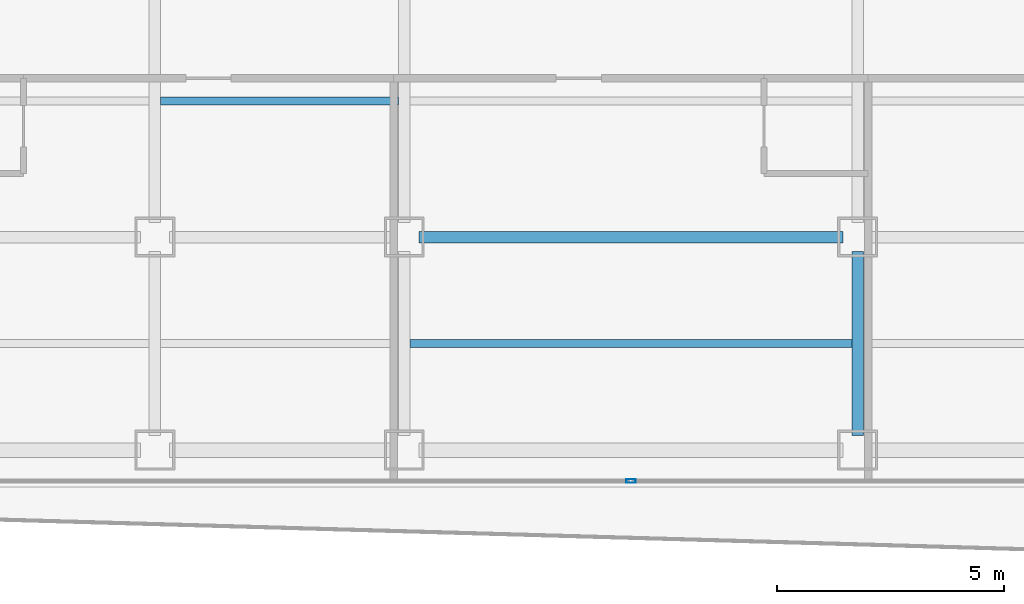
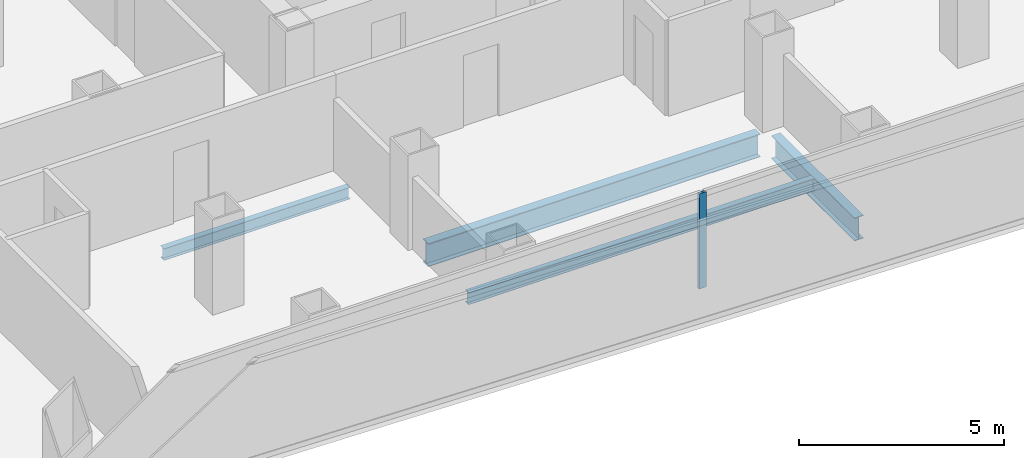
# One storey, part 4 of 21: 4 beams, 1 member, 1 element without a shape of its own.
"""IFC4 building model written with IfcOpenShell, lengths in metres."""

from ifc_helpers import new_model, si_unit, direction, frame, origin, origin_2d, place, context, subcontext, project, spatial, hollow_rectangle, i_section, extrude, source, transform, mapped, material, layer, layer_set, material_profile, profile_set, type_object, element, aggregate, save


model = new_model("IFC4")

# Units and contexts
model_context = context("Model", 3, precision=1e-05, world=origin(), true_north=direction((0.0, 1.0)))
body_context = subcontext(model_context, "Body", "Model", "MODEL_VIEW")
ifc_project = project(units=[si_unit("LENGTHUNIT", "METRE"), si_unit("AREAUNIT", "SQUARE_METRE"), si_unit("VOLUMEUNIT", "CUBIC_METRE"), si_unit("PLANEANGLEUNIT", "RADIAN"), si_unit("MASSUNIT", "GRAM", prefix="KILO")], contexts=[model_context])

# Site, building, storey
site_placement = place(None, origin())
site = spatial("IfcSite", under=ifc_project, at=site_placement, CompositionType="ELEMENT")
building_placement = place(site_placement, origin())
building = spatial("IfcBuilding", under=site, at=building_placement, Name="Kolveth Station Tower", CompositionType="ELEMENT")
storey_placement = place(building_placement, frame((0.0, 0.0, 148.39990234375)))
storey = spatial("IfcBuildingStorey", under=building, at=storey_placement, Name="L41", CompositionType="ELEMENT", Elevation=148.39990234375)

# Beams
ifc_material_1 = material(Name="Steel S355", Category="steel")
ifc_material_profile_1 = material_profile(ifc_material_1, i_section(OverallWidth=0.25390625, OverallDepth=0.68798828125, WebThickness=0.01318359375, FlangeThickness=0.02099609375, at=origin_2d()), Name="W690x152")
ifc_profile_set_1 = profile_set([ifc_material_profile_1], Name="Steel S355")
beam_type_1 = type_object("IfcBeamType", Name="Beam_B4", PredefinedType="BEAM", material=ifc_profile_set_1)
shared_shape_1 = source(origin(), body_context, "Body", "SweptSolid", [
    extrude(i_section(OverallWidth=0.25390625, OverallDepth=0.68798828125, WebThickness=0.01318359375, FlangeThickness=0.02099609375, at=origin_2d()), origin(), (0.0, 0.0, 1.0), 9.35986328125),
])
beam_1_placement = place(storey_placement, frame((18.820068359375, 5.5, -0.593994140625), z_axis=(1.0, 0.0, 0.0), x_axis=(0.0, 1.0, 0.0)))
element("IfcBeam", 1, at=beam_1_placement, inside=storey, type_object=beam_type_1, Name="L41 Primary Girder BM-L41-GY55-4", PredefinedType="BEAM", context=body_context, shape_type="MappedRepresentation", body=[
    mapped(shared_shape_1, transform((0.0, 0.0, 0.0), x_axis=(1.0, 0.0, 0.0), y_axis=(0.0, 1.0, 0.0), z_axis=(0.0, 0.0, 1.0), scale=1.0)),
])
shared_shape_2 = source(origin(), body_context, "Body", "SweptSolid", [
    extrude(i_section(OverallWidth=0.25390625, OverallDepth=0.68798828125, WebThickness=0.01318359375, FlangeThickness=0.02099609375, at=origin_2d()), origin(), (0.0, 0.0, 1.0), 4.059814453125),
])
beam_2_placement = place(storey_placement, frame((28.5, 1.1201171875, -0.593994140625), z_axis=(0.0, 1.0, 0.0), x_axis=(-1.0, 0.0, 0.0)))
element("IfcBeam", 2, at=beam_2_placement, inside=storey, type_object=beam_type_1, Name="L41 Primary Girder BM-L41-GX285-1", PredefinedType="BEAM", context=body_context, shape_type="MappedRepresentation", body=[
    mapped(shared_shape_2, transform((0.0, 0.0, 0.0), x_axis=(1.0, 0.0, 0.0), y_axis=(0.0, 1.0, 0.0), z_axis=(0.0, 0.0, 1.0), scale=1.0)),
])
ifc_material_profile_2 = material_profile(ifc_material_1, i_section(OverallWidth=0.1708984375, OverallDepth=0.35205078125, WebThickness=0.0068359375, FlangeThickness=0.009765625, at=origin_2d()), Name="W360x44")
ifc_profile_set_2 = profile_set([ifc_material_profile_2], Name="Steel S355")
beam_type_2 = type_object("IfcBeamType", Name="Beam_J2", PredefinedType="JOIST", material=ifc_profile_set_2)
shared_shape_3 = source(origin(), body_context, "Body", "SweptSolid", [
    extrude(i_section(OverallWidth=0.1708984375, OverallDepth=0.35205078125, WebThickness=0.0068359375, FlangeThickness=0.009765625, at=origin_2d()), origin(), (0.0, 0.0, 1.0), 5.25),
])
beam_3_placement = place(storey_placement, frame((13.125, 8.5, -0.42578125), z_axis=(1.0, 0.0, 0.0), x_axis=(0.0, 1.0, 0.0)))
element("IfcBeam", 3, at=beam_3_placement, inside=storey, type_object=beam_type_2, Name="L41 Secondary Joist JST-L41-3-2", PredefinedType="JOIST", context=body_context, shape_type="MappedRepresentation", body=[
    mapped(shared_shape_3, transform((0.0, 0.0, 0.0), x_axis=(1.0, 0.0, 0.0), y_axis=(0.0, 1.0, 0.0), z_axis=(0.0, 0.0, 1.0), scale=1.0)),
])
shared_shape_4 = source(origin(), body_context, "Body", "SweptSolid", [
    extrude(i_section(OverallWidth=0.1708984375, OverallDepth=0.35205078125, WebThickness=0.0068359375, FlangeThickness=0.009765625, at=origin_2d()), origin(), (0.0, 0.0, 1.0), 9.75),
])
beam_4_placement = place(storey_placement, frame((18.625, 3.14990234375, -0.42578125), z_axis=(1.0, 0.0, 0.0), x_axis=(0.0, 1.0, 0.0)))
element("IfcBeam", 4, at=beam_4_placement, inside=storey, type_object=beam_type_2, Name="L41 Secondary Joist JST-L41-4-1", PredefinedType="JOIST", context=body_context, shape_type="MappedRepresentation", body=[
    mapped(shared_shape_4, transform((0.0, 0.0, 0.0), x_axis=(1.0, 0.0, 0.0), y_axis=(0.0, 1.0, 0.0), z_axis=(0.0, 0.0, 1.0), scale=1.0)),
])

# Curtain wall, member
ifc_material_2 = material(Name="Aluminium 6063-T6 and low-E dark glass", Category="aluminium")
ifc_layer = layer(ifc_material_2, 0.18994140625)
ifc_layer_set = layer_set([ifc_layer], Name="Aluminium 6063-T6 and low-E dark glass")
curtain_wall_type = type_object("IfcCurtainWallType", Name="CurtainWall_CW-Z2", PredefinedType="NOTDEFINED", material=ifc_layer_set)
curtain_wall_placement = place(storey_placement, origin())
curtain_wall = element("IfcCurtainWall", 5, at=curtain_wall_placement, inside=storey, type_object=curtain_wall_type, Name="L41 Inner Thermal Curtain Wall 12", PredefinedType="NOTDEFINED")
ifc_material_3 = material(Name="Black anodized aluminium 6063-T6", Category="aluminium")
ifc_material_profile_3 = material_profile(ifc_material_3, hollow_rectangle(XDim=0.080078125, YDim=0.199951171875, WallThickness=0.0048828125, at=origin_2d()), Name="ALU-80x200x5")
ifc_profile_set_3 = profile_set([ifc_material_profile_3], Name="Black anodized aluminium 6063-T6")
member_type = type_object("IfcMemberType", Name="Mullion_ML2", PredefinedType="MULLION", material=ifc_profile_set_3)
shared_shape_5 = source(origin(), body_context, "Body", "SweptSolid", [
    extrude(hollow_rectangle(XDim=0.080078125, YDim=0.199951171875, WallThickness=0.0048828125, at=origin_2d()), origin(), (0.0, 0.0, 1.0), 2.840087890625),
])
member_placement = place(storey_placement, frame((23.5, 0.1201171875, 0.0), z_axis=(0.0, 0.0, 1.0), x_axis=(0.0, 1.0, 0.0)))
member = element("IfcMember", 6, at=member_placement, type_object=member_type, Name="CW-Z2 mullion 2", PredefinedType="MULLION", context=body_context, shape_type="MappedRepresentation", body=[
    mapped(shared_shape_5, transform((0.0, 0.0, 0.0), x_axis=(1.0, 0.0, 0.0), y_axis=(0.0, 1.0, 0.0), z_axis=(0.0, 0.0, 1.0), scale=1.0)),
])
aggregate(curtain_wall, [member])

save(model, "model.ifc")
